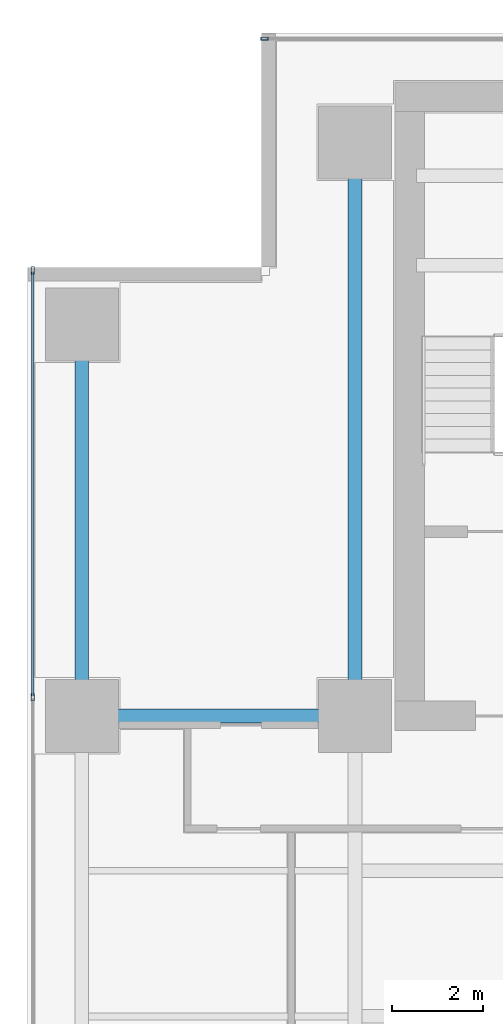
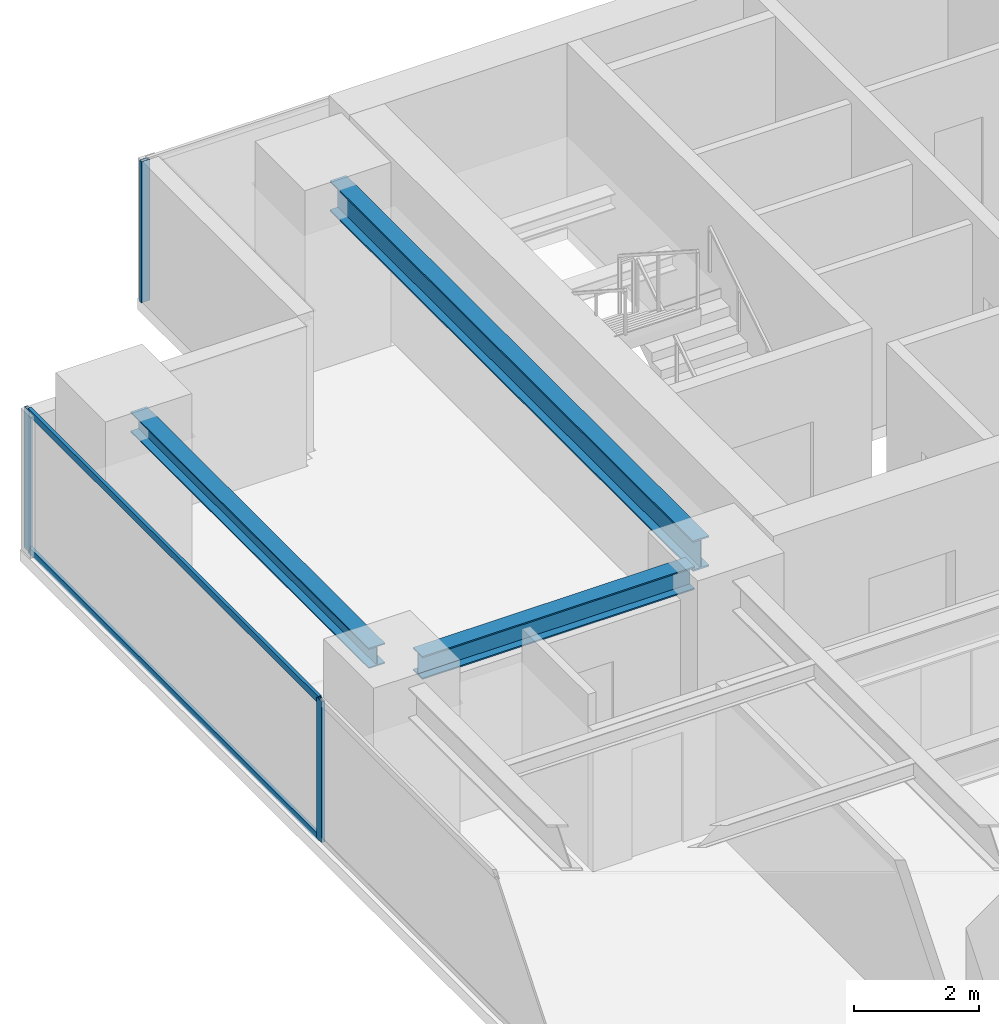
# One storey, part 14 of 28: 5 members, 3 beams, 2 elements without a shape of their own.
"""IFC4 building model written with IfcOpenShell, lengths in metres."""

from ifc_helpers import new_model, si_unit, direction, frame, origin, origin_2d, place, context, subcontext, project, spatial, hollow_rectangle, i_section, extrude, source, transform, mapped, material, layer, layer_set, material_profile, profile_set, type_object, element, aggregate, save


model = new_model("IFC4")

# Units and contexts
model_context = context("Model", 3, precision=1e-05, world=origin(), true_north=direction((0.0, 1.0)))
body_context = subcontext(model_context, "Body", "Model", "MODEL_VIEW")
ifc_project = project(units=[si_unit("LENGTHUNIT", "METRE"), si_unit("AREAUNIT", "SQUARE_METRE"), si_unit("VOLUMEUNIT", "CUBIC_METRE"), si_unit("PLANEANGLEUNIT", "RADIAN"), si_unit("MASSUNIT", "GRAM", prefix="KILO")], contexts=[model_context])

# Site, building, storey
site_placement = place(None, origin())
site = spatial("IfcSite", under=ifc_project, at=site_placement, CompositionType="ELEMENT")
building_placement = place(site_placement, origin())
building = spatial("IfcBuilding", under=site, at=building_placement, Name="Sumidabori Civic Tower", CompositionType="ELEMENT")
storey_placement = place(building_placement, frame((0.0, 0.0, 149.60009765625)))
storey = spatial("IfcBuildingStorey", under=building, at=storey_placement, Name="L38", CompositionType="ELEMENT", Elevation=149.60009765625)

# Beams
ifc_material_1 = material(Name="Steel SN490", Category="steel")
ifc_material_profile_1 = material_profile(ifc_material_1, i_section(OverallWidth=0.300048828125, OverallDepth=0.39990234375, WebThickness=0.013427734375, FlangeThickness=0.02392578125, at=origin_2d()), Name="HE 400 B")
ifc_profile_set_1 = profile_set([ifc_material_profile_1], Name="Steel SN490")
beam_type_1 = type_object("IfcBeamType", Name="BM-GIRD-400", PredefinedType="BEAM", material=ifc_profile_set_1)
shared_shape_1 = source(origin(), body_context, "Body", "SweptSolid", [
    extrude(i_section(OverallWidth=0.300048828125, OverallDepth=0.39990234375, WebThickness=0.013427734375, FlangeThickness=0.02392578125, at=origin_2d()), origin(), (0.0, 0.0, 1.0), 7.64013671875),
])
beam_1_placement = place(storey_placement, frame((-22.800048828125, 10.679931640625, 3.179931640625), z_axis=(0.0, 1.0, 0.0), x_axis=(-1.0, 0.0, 0.0)))
element("IfcBeam", 1, at=beam_1_placement, inside=storey, type_object=beam_type_1, Name="Primary Girder L38 GY-21", PredefinedType="BEAM", context=body_context, shape_type="MappedRepresentation", body=[
    mapped(shared_shape_1, transform((0.0, 0.0, 0.0), x_axis=(1.0, 0.0, 0.0), y_axis=(0.0, 1.0, 0.0), z_axis=(0.0, 0.0, 1.0), scale=1.0)),
])
ifc_material_profile_2 = material_profile(ifc_material_1, i_section(OverallWidth=0.300048828125, OverallDepth=0.60009765625, WebThickness=0.015380859375, FlangeThickness=0.030029296875, at=origin_2d()), Name="HE 600 B")
ifc_profile_set_2 = profile_set([ifc_material_profile_2], Name="Steel SN490")
beam_type_2 = type_object("IfcBeamType", Name="BM-GIRD-600", PredefinedType="BEAM", material=ifc_profile_set_2)
shared_shape_2 = source(origin(), body_context, "Body", "SweptSolid", [
    extrude(i_section(OverallWidth=0.300048828125, OverallDepth=0.60009765625, WebThickness=0.015380859375, FlangeThickness=0.030029296875, at=origin_2d()), origin(), (0.0, 0.0, 1.0), 11.64013671875),
])
beam_2_placement = place(storey_placement, frame((-16.800048828125, 10.679931640625, 3.079833984375), z_axis=(0.0, 1.0, 0.0), x_axis=(-1.0, 0.0, 0.0)))
element("IfcBeam", 2, at=beam_2_placement, inside=storey, type_object=beam_type_2, Name="Primary Girder L38 GY-25", PredefinedType="BEAM", context=body_context, shape_type="MappedRepresentation", body=[
    mapped(shared_shape_2, transform((0.0, 0.0, 0.0), x_axis=(1.0, 0.0, 0.0), y_axis=(0.0, 1.0, 0.0), z_axis=(0.0, 0.0, 1.0), scale=1.0)),
])
ifc_material_profile_3 = material_profile(ifc_material_1, i_section(OverallWidth=0.300048828125, OverallDepth=0.449951171875, WebThickness=0.013916015625, FlangeThickness=0.02587890625, at=origin_2d()), Name="HE 450 B")
ifc_profile_set_3 = profile_set([ifc_material_profile_3], Name="Steel SN490")
beam_type_3 = type_object("IfcBeamType", Name="BM-GIRD-450", PredefinedType="BEAM", material=ifc_profile_set_3)
shared_shape_3 = source(origin(), body_context, "Body", "SweptSolid", [
    extrude(i_section(OverallWidth=0.300048828125, OverallDepth=0.449951171875, WebThickness=0.013916015625, FlangeThickness=0.02587890625, at=origin_2d()), origin(), (0.0, 0.0, 1.0), 5.0400390625),
])
beam_3_placement = place(storey_placement, frame((-22.320068359375, 10.199951171875, 3.15478515625), z_axis=(1.0, 0.0, 0.0), x_axis=(0.0, 1.0, 0.0)))
element("IfcBeam", 3, at=beam_3_placement, inside=storey, type_object=beam_type_3, Name="Primary Girder L38 GX-17", PredefinedType="BEAM", context=body_context, shape_type="MappedRepresentation", body=[
    mapped(shared_shape_3, transform((0.0, 0.0, 0.0), x_axis=(1.0, 0.0, 0.0), y_axis=(0.0, 1.0, 0.0), z_axis=(0.0, 0.0, 1.0), scale=1.0)),
])

# Curtain wall, member
ifc_material_2 = material(Name="Anodised Bronze Aluminium AW-6063-T6", Category="aluminium")
ifc_layer = layer(ifc_material_2, 0.179931640625, Name="Anodised Bronze Aluminium AW-6063-T6")
ifc_layer_set = layer_set([ifc_layer], Name="Anodised Bronze Aluminium AW-6063-T6")
curtain_wall_type = type_object("IfcCurtainWallType", Name="CW-SYS-3", PredefinedType="NOTDEFINED", material=ifc_layer_set)
curtain_wall_1_placement = place(storey_placement, origin())
curtain_wall_1 = element("IfcCurtainWall", 4, at=curtain_wall_1_placement, inside=storey, type_object=curtain_wall_type, Name="Curtain Wall CW:L38:R07", PredefinedType="NOTDEFINED")
ifc_material_profile_4 = material_profile(ifc_material_2, hollow_rectangle(XDim=0.06494140625, YDim=0.159912109375, WallThickness=0.0048828125, at=origin_2d()), Name="ALU MULLION 160x65")
ifc_profile_set_4 = profile_set([ifc_material_profile_4], Name="Anodised Bronze Aluminium AW-6063-T6")
member_type_1 = type_object("IfcMemberType", Name="CW-MUL-160", PredefinedType="MULLION", material=ifc_profile_set_4)
shared_shape_4 = source(origin(), body_context, "Body", "SweptSolid", [
    extrude(hollow_rectangle(XDim=0.06494140625, YDim=0.159912109375, WallThickness=0.0048828125, at=origin_2d()), origin(), (0.0, 0.0, 1.0), 2.760009765625),
])
member_1_placement = place(storey_placement, frame((-18.78759765625, 25.080078125, 0.0), z_axis=(0.0, 0.0, 1.0), x_axis=(0.0, -1.0, 0.0)))
member_1 = element("IfcMember", 5, at=member_1_placement, type_object=member_type_1, Name="CW-3 mullion 5", PredefinedType="MULLION", context=body_context, shape_type="MappedRepresentation", body=[
    mapped(shared_shape_4, transform((0.0, 0.0, 0.0), x_axis=(1.0, 0.0, 0.0), y_axis=(0.0, 1.0, 0.0), z_axis=(0.0, 0.0, 1.0), scale=1.0)),
])
aggregate(curtain_wall_1, [member_1])

# Curtain wall, members
curtain_wall_2_placement = place(storey_placement, origin())
curtain_wall_2 = element("IfcCurtainWall", 6, at=curtain_wall_2_placement, inside=storey, type_object=curtain_wall_type, Name="Curtain Wall CW:L38:R10", PredefinedType="NOTDEFINED")
member_2_placement = place(storey_placement, frame((-23.8798828125, 19.987548828125, 0.0), z_axis=(0.0, 0.0, 1.0), x_axis=(1.0, 0.0, 0.0)))
member_2 = element("IfcMember", 7, at=member_2_placement, type_object=member_type_1, Name="CW-3 mullion 1", PredefinedType="MULLION", context=body_context, shape_type="MappedRepresentation", body=[
    mapped(shared_shape_4, transform((0.0, 0.0, 0.0), x_axis=(1.0, 0.0, 0.0), y_axis=(0.0, 1.0, 0.0), z_axis=(0.0, 0.0, 1.0), scale=1.0)),
])
member_3_placement = place(storey_placement, frame((-23.8798828125, 10.610107421875, 0.0), z_axis=(0.0, 0.0, 1.0), x_axis=(1.0, 0.0, 0.0)))
member_3 = element("IfcMember", 8, at=member_3_placement, type_object=member_type_1, Name="CW-3 mullion 2", PredefinedType="MULLION", context=body_context, shape_type="MappedRepresentation", body=[
    mapped(shared_shape_4, transform((0.0, 0.0, 0.0), x_axis=(1.0, 0.0, 0.0), y_axis=(0.0, 1.0, 0.0), z_axis=(0.0, 0.0, 1.0), scale=1.0)),
])
ifc_material_profile_5 = material_profile(ifc_material_2, hollow_rectangle(XDim=0.06005859375, YDim=0.1298828125, WallThickness=0.0048828125, at=origin_2d()), Name="ALU TRANSOM 130x60")
ifc_profile_set_5 = profile_set([ifc_material_profile_5], Name="Anodised Bronze Aluminium AW-6063-T6")
member_type_2 = type_object("IfcMemberType", Name="CW-TRN-130", PredefinedType="USERDEFINED", material=ifc_profile_set_5)
shared_shape_5 = source(origin(), body_context, "Body", "SweptSolid", [
    extrude(hollow_rectangle(XDim=0.06005859375, YDim=0.1298828125, WallThickness=0.0048828125, at=origin_2d()), origin(), (0.0, 0.0, 1.0), 9.3125),
])
member_4_placement = place(storey_placement, frame((-23.8798828125, 19.955078125, 0.02978515625), z_axis=(0.0, -1.0, 0.0), x_axis=(1.0, 0.0, 0.0)))
member_4 = element("IfcMember", 9, at=member_4_placement, type_object=member_type_2, Name="CW-3 transom 1.1", ObjectType="TRANSOM", PredefinedType="USERDEFINED", context=body_context, shape_type="MappedRepresentation", body=[
    mapped(shared_shape_5, transform((0.0, 0.0, 0.0), x_axis=(1.0, 0.0, 0.0), y_axis=(0.0, 1.0, 0.0), z_axis=(0.0, 0.0, 1.0), scale=1.0)),
])
member_5_placement = place(storey_placement, frame((-23.8798828125, 19.955078125, 2.72998046875), z_axis=(0.0, -1.0, 0.0), x_axis=(1.0, 0.0, 0.0)))
member_5 = element("IfcMember", 10, at=member_5_placement, type_object=member_type_2, Name="CW-3 transom 1.2", ObjectType="TRANSOM", PredefinedType="USERDEFINED", context=body_context, shape_type="MappedRepresentation", body=[
    mapped(shared_shape_5, transform((0.0, 0.0, 0.0), x_axis=(1.0, 0.0, 0.0), y_axis=(0.0, 1.0, 0.0), z_axis=(0.0, 0.0, 1.0), scale=1.0)),
])
aggregate(curtain_wall_2, [member_2, member_3, member_4, member_5])

save(model, "model.ifc")
